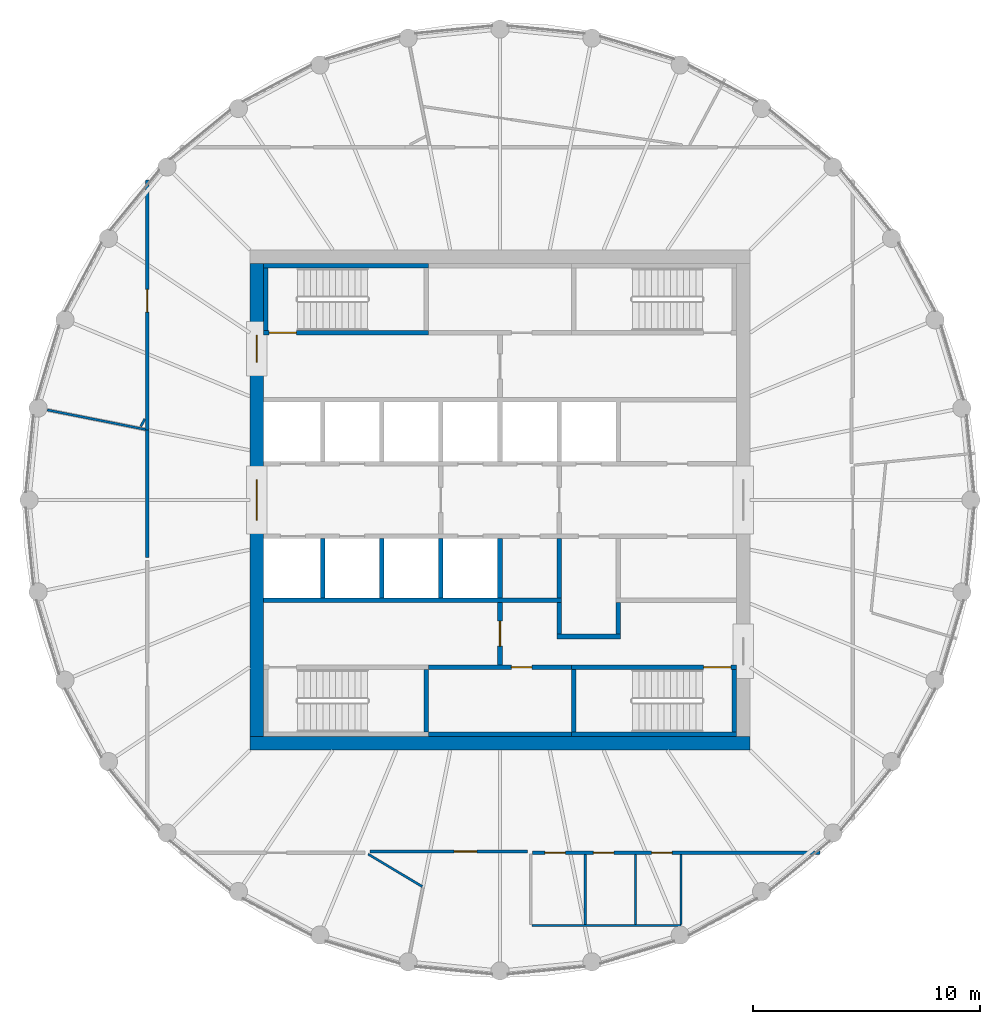
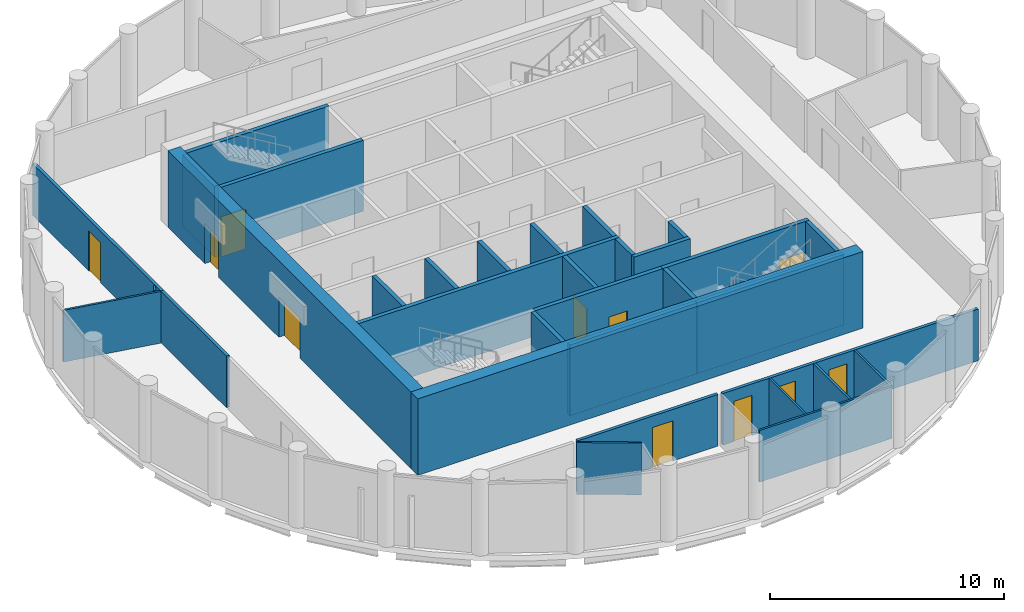
# One storey, part 4 of 7: 33 walls, 11 doors, 11 openings.
"""IFC4 building model written with IfcOpenShell, lengths in metres."""

from ifc_helpers import new_model, si_unit, direction, frame, frame_2d, origin, place, context, subcontext, project, spatial, polyline, rectangle, outline, extrude, material, layer, layer_set, type_object, element, fill, save


model = new_model("IFC4")

# Units and contexts
model_context = context("Model", 3, precision=1e-05, world=origin(), true_north=direction((0.0, 1.0)))
body_context = subcontext(model_context, "Body", "Model", "MODEL_VIEW")
ifc_project = project(units=[si_unit("LENGTHUNIT", "METRE"), si_unit("AREAUNIT", "SQUARE_METRE"), si_unit("VOLUMEUNIT", "CUBIC_METRE"), si_unit("PLANEANGLEUNIT", "RADIAN"), si_unit("MASSUNIT", "GRAM", prefix="KILO")], contexts=[model_context])

# Site, building, storey
site_placement = place(None, origin())
site = spatial("IfcSite", under=ifc_project, at=site_placement, CompositionType="ELEMENT")
building_placement = place(site_placement, origin())
building = spatial("IfcBuilding", under=site, at=building_placement, Name="Corvane Civic Tower", CompositionType="ELEMENT")
storey_placement = place(building_placement, frame((0.0, 0.0, 332.5)))
storey = spatial("IfcBuildingStorey", under=building, at=storey_placement, Name="L79", CompositionType="ELEMENT", Elevation=332.5)

# Wall
ifc_material_1 = material(Name="Concrete C40/50", Category="concrete")
ifc_layer_1 = layer(ifc_material_1, 0.60009765625)
ifc_layer_set_1 = layer_set([ifc_layer_1], Name="Concrete C40/50")
wall_type_1 = type_object("IfcWallType", Name="CORE WALL 600 C40/50", PredefinedType="SHEAR", material=ifc_layer_set_1)
wall_1_placement = place(storey_placement, frame((-11.0, -10.699951171875, 0.0), z_axis=(0.0, 0.0, 1.0), x_axis=(1.0, 0.0, 0.0)))
element("IfcWall", 1, at=wall_1_placement, inside=storey, type_object=wall_type_1, Name="W-L79-core-S", PredefinedType="SHEAR", context=body_context, shape_type="SweptSolid", body=[
    extrude(rectangle(XDim=22.0, YDim=0.60009765625, at=frame_2d((11.0, 0.0))), origin(), (0.0, 0.0, 1.0), 4.0),
])

# Wall, openings, doors
wall_2_placement = place(storey_placement, frame((-10.699951171875, -10.39990234375, 0.0), z_axis=(0.0, 0.0, 1.0), x_axis=(0.0, 1.0, 0.0)))
wall_2 = element("IfcWall", 2, at=wall_2_placement, inside=storey, type_object=wall_type_1, Name="W-L79-core-W", PredefinedType="SHEAR", context=body_context, shape_type="SweptSolid", body=[
    extrude(rectangle(XDim=20.7998046875, YDim=0.60009765625, at=frame_2d((10.39990234375, 0.0))), origin(), (0.0, 0.0, 1.0), 4.0),
])
opening_1_placement = place(wall_2_placement, frame((9.5, 0.0, 0.0)))
opening_1 = element("IfcOpeningElement", 3, at=opening_1_placement, cuts=wall_2, Name="Opening L79.C15", PredefinedType="OPENING", context=body_context, shape_type="SweptSolid", body=[
    extrude(rectangle(XDim=1.800048828125, YDim=2.10009765625, at=frame_2d((0.89990234375, 1.050048828125))), frame((0.0, 0.31005859375, 0.0), z_axis=(0.0, -1.0, 0.0), x_axis=(1.0, 0.0, 0.0)), (0.0, 0.0, 1.0), 0.6201171875),
])
opening_2_placement = place(wall_2_placement, frame((16.449951171875, 0.0, 0.0)))
opening_2 = element("IfcOpeningElement", 4, at=opening_2_placement, cuts=wall_2, Name="Opening L79.C17", PredefinedType="OPENING", context=body_context, shape_type="SweptSolid", body=[
    extrude(rectangle(XDim=1.199951171875, YDim=2.10009765625, at=frame_2d((0.60009765625, 1.050048828125))), frame((0.0, 0.31005859375, 0.0), z_axis=(0.0, -1.0, 0.0), x_axis=(1.0, 0.0, 0.0)), (0.0, 0.0, 1.0), 0.6201171875),
])
ifc_material_2 = material(Name="Steel fire door leaf", Category="steel")
door_type_1 = type_object("IfcDoorType", Name="CR-DOOR-CORE-1800", OperationType="DOUBLE_DOOR_SINGLE_SWING", PredefinedType="DOOR", material=ifc_material_2)
door_1_placement = place(opening_1_placement, origin())
door_1 = element("IfcDoor", 5, at=door_1_placement, inside=storey, type_object=door_type_1, Name="L79 door", OperationType="DOUBLE_DOOR_SINGLE_SWING", OverallHeight=2.10009765625, OverallWidth=1.800048828125, PredefinedType="DOOR", context=body_context, shape_type="SweptSolid", body=[
    extrude(rectangle(XDim=1.800048828125, YDim=2.10009765625, at=frame_2d((0.89990234375, 1.050048828125))), frame((0.0, 0.02490234375, 0.0), z_axis=(0.0, -1.0, 0.0), x_axis=(1.0, 0.0, 0.0)), (0.0, 0.0, 1.0), 0.050048828125),
])
fill(opening_1, door_1)
door_2_placement = place(opening_2_placement, origin())
door_2 = element("IfcDoor", 6, at=door_2_placement, inside=storey, type_object=door_type_1, Name="L79 door", OperationType="DOUBLE_DOOR_SINGLE_SWING", OverallHeight=2.10009765625, OverallWidth=1.199951171875, PredefinedType="DOOR", context=body_context, shape_type="SweptSolid", body=[
    extrude(rectangle(XDim=1.199951171875, YDim=2.10009765625, at=frame_2d((0.60009765625, 1.050048828125))), frame((0.0, 0.02490234375, 0.0), z_axis=(0.0, -1.0, 0.0), x_axis=(1.0, 0.0, 0.0)), (0.0, 0.0, 1.0), 0.050048828125),
])
fill(opening_2, door_2)

# Wall, opening, door
ifc_material_3 = material(Name="Concrete C30/37", Category="concrete")
ifc_layer_2 = layer(ifc_material_3, 0.199951171875)
ifc_layer_set_2 = layer_set([ifc_layer_2], Name="Concrete C30/37")
wall_type_2 = type_object("IfcWallType", Name="CR-WALL-200", PredefinedType="PARTITIONING", material=ifc_layer_set_2)
wall_3_placement = place(storey_placement, frame((-3.14990234375, -7.35009765625, 0.0), z_axis=(0.0, 0.0, 1.0), x_axis=(1.0, 0.0, 0.0)))
wall_3 = element("IfcWall", 7, at=wall_3_placement, inside=storey, type_object=wall_type_2, Name="L79 partition wall", PredefinedType="PARTITIONING", context=body_context, shape_type="SweptSolid", body=[
    extrude(rectangle(XDim=6.2998046875, YDim=0.199951171875, at=frame_2d((3.14990234375, 0.0))), origin(), (0.0, 0.0, 1.0), 3.699951171875),
])
opening_3_placement = place(wall_3_placement, frame((3.64990234375, 0.0, 0.0)))
opening_3 = element("IfcOpeningElement", 8, at=opening_3_placement, cuts=wall_3, Name="Opening L79.C06", PredefinedType="OPENING", context=body_context, shape_type="SweptSolid", body=[
    extrude(rectangle(XDim=0.89990234375, YDim=2.10009765625, at=frame_2d((0.449951171875, 1.050048828125))), frame((0.0, 0.10986328125, 0.0), z_axis=(0.0, -1.0, 0.0), x_axis=(1.0, 0.0, 0.0)), (0.0, 0.0, 1.0), 0.219970703125),
])
ifc_material_4 = material(Name="Steel fire door leaf", Category="steel")
door_type_2 = type_object("IfcDoorType", Name="CR-DOOR-900", OperationType="SINGLE_SWING_LEFT", PredefinedType="DOOR", material=ifc_material_4)
door_3_placement = place(opening_3_placement, origin())
door_3 = element("IfcDoor", 9, at=door_3_placement, inside=storey, type_object=door_type_2, Name="L79 door", OperationType="SINGLE_SWING_LEFT", OverallHeight=2.10009765625, OverallWidth=0.89990234375, PredefinedType="DOOR", context=body_context, shape_type="SweptSolid", body=[
    extrude(rectangle(XDim=0.89990234375, YDim=2.10009765625, at=frame_2d((0.449951171875, 1.050048828125))), frame((0.0, 0.02490234375, 0.0), z_axis=(0.0, -1.0, 0.0), x_axis=(1.0, 0.0, 0.0)), (0.0, 0.0, 1.0), 0.050048828125),
])
fill(opening_3, door_3)

wall_4_placement = place(storey_placement, frame((0.0, -7.25, 0.0), z_axis=(0.0, 0.0, 1.0), x_axis=(0.0, 1.0, 0.0)))
wall_4 = element("IfcWall", 10, at=wall_4_placement, inside=storey, type_object=wall_type_2, Name="L79 core partition wall", PredefinedType="PARTITIONING", context=body_context, shape_type="SweptSolid", body=[
    extrude(rectangle(XDim=2.75, YDim=0.199951171875, at=frame_2d((1.375, 0.0))), origin(), (0.0, 0.0, 1.0), 3.699951171875),
])
opening_4_placement = place(wall_4_placement, frame((0.824951171875, 0.0, 0.0)))
opening_4 = element("IfcOpeningElement", 11, at=opening_4_placement, cuts=wall_4, Name="Opening L79.C14", PredefinedType="OPENING", context=body_context, shape_type="SweptSolid", body=[
    extrude(rectangle(XDim=1.10009765625, YDim=2.10009765625, at=frame_2d((0.550048828125, 1.050048828125))), frame((0.0, 0.10986328125, 0.0), z_axis=(0.0, -1.0, 0.0), x_axis=(1.0, 0.0, 0.0)), (0.0, 0.0, 1.0), 0.219970703125),
])
ifc_material_5 = material(Name="Steel fire door leaf", Category="steel")
door_type_3 = type_object("IfcDoorType", Name="CR-DOOR-FFL-1100", OperationType="SINGLE_SWING_LEFT", PredefinedType="DOOR", material=ifc_material_5)
door_4_placement = place(opening_4_placement, origin())
door_4 = element("IfcDoor", 12, at=door_4_placement, inside=storey, type_object=door_type_3, Name="L79 lobby door", OperationType="SINGLE_SWING_LEFT", OverallHeight=2.10009765625, OverallWidth=1.10009765625, PredefinedType="DOOR", context=body_context, shape_type="SweptSolid", body=[
    extrude(rectangle(XDim=1.10009765625, YDim=2.10009765625, at=frame_2d((0.550048828125, 1.050048828125))), frame((0.0, 0.02490234375, 0.0), z_axis=(0.0, -1.0, 0.0), x_axis=(1.0, 0.0, 0.0)), (0.0, 0.0, 1.0), 0.050048828125),
])
fill(opening_4, door_4)

# Walls
wall_5_placement = place(storey_placement, origin())
element("IfcWall", 13, at=wall_5_placement, inside=storey, type_object=wall_type_2, Name="L79 core partition wall", PredefinedType="PARTITIONING", context=body_context, shape_type="SweptSolid", body=[
    extrude(outline(polyline([(2.699951171875, -4.300048828125), (2.699951171875, -4.5), (-10.39990234375, -4.5), (-10.39990234375, -4.300048828125), (2.699951171875, -4.300048828125)])), origin(), (0.0, 0.0, 1.0), 3.699951171875),
])
wall_6_placement = place(storey_placement, origin())
element("IfcWall", 14, at=wall_6_placement, inside=storey, type_object=wall_type_2, Name="L79 core partition wall", PredefinedType="PARTITIONING", context=body_context, shape_type="SweptSolid", body=[
    extrude(outline(polyline([(5.300048828125, -6.10009765625), (2.5, -6.10009765625), (2.5, -5.89990234375), (5.300048828125, -5.89990234375), (5.300048828125, -6.10009765625)])), origin(), (0.0, 0.0, 1.0), 3.699951171875),
])
wall_7_placement = place(storey_placement, origin())
element("IfcWall", 15, at=wall_7_placement, inside=storey, type_object=wall_type_2, Name="L79 core partition wall", PredefinedType="PARTITIONING", context=body_context, shape_type="SweptSolid", body=[
    extrude(outline(polyline([(-2.5, -1.699951171875), (-2.5, -4.2998046875), (-2.699951171875, -4.2998046875), (-2.699951171875, -1.699951171875), (-2.5, -1.699951171875)])), origin(), (0.0, 0.0, 1.0), 3.699951171875),
])
wall_8_placement = place(storey_placement, origin())
element("IfcWall", 16, at=wall_8_placement, inside=storey, type_object=wall_type_2, Name="L79 core partition wall", PredefinedType="PARTITIONING", context=body_context, shape_type="SweptSolid", body=[
    extrude(outline(polyline([(2.699951171875, -1.699951171875), (2.699951171875, -4.2998046875), (2.5, -4.2998046875), (2.5, -1.699951171875), (2.699951171875, -1.699951171875)])), origin(), (0.0, 0.0, 1.0), 3.699951171875),
])
wall_9_placement = place(storey_placement, origin())
element("IfcWall", 17, at=wall_9_placement, inside=storey, type_object=wall_type_2, Name="L79 core partition wall", PredefinedType="PARTITIONING", context=body_context, shape_type="SweptSolid", body=[
    extrude(outline(polyline([(0.10009765625, -1.699951171875), (0.10009765625, -4.2998046875), (-0.10009765625, -4.2998046875), (-0.10009765625, -1.699951171875), (0.10009765625, -1.699951171875)])), origin(), (0.0, 0.0, 1.0), 3.699951171875),
])
wall_10_placement = place(storey_placement, origin())
element("IfcWall", 18, at=wall_10_placement, inside=storey, type_object=wall_type_2, Name="L79 core partition wall", PredefinedType="PARTITIONING", context=body_context, shape_type="SweptSolid", body=[
    extrude(outline(polyline([(-7.699951171875, -1.699951171875), (-7.699951171875, -4.2998046875), (-7.89990234375, -4.2998046875), (-7.89990234375, -1.699951171875), (-7.699951171875, -1.699951171875)])), origin(), (0.0, 0.0, 1.0), 3.699951171875),
])
wall_11_placement = place(storey_placement, origin())
element("IfcWall", 19, at=wall_11_placement, inside=storey, type_object=wall_type_2, Name="L79 core partition wall", PredefinedType="PARTITIONING", context=body_context, shape_type="SweptSolid", body=[
    extrude(outline(polyline([(-5.10009765625, -1.699951171875), (-5.10009765625, -4.2998046875), (-5.300048828125, -4.2998046875), (-5.300048828125, -1.699951171875), (-5.10009765625, -1.699951171875)])), origin(), (0.0, 0.0, 1.0), 3.699951171875),
])
wall_12_placement = place(storey_placement, origin())
element("IfcWall", 20, at=wall_12_placement, inside=storey, type_object=wall_type_2, Name="L79 core partition wall", PredefinedType="PARTITIONING", context=body_context, shape_type="SweptSolid", body=[
    extrude(outline(polyline([(2.699951171875, -5.89990234375), (2.5, -5.89990234375), (2.5, -4.5), (2.699951171875, -4.5), (2.699951171875, -5.89990234375)])), origin(), (0.0, 0.0, 1.0), 3.699951171875),
])
wall_13_placement = place(storey_placement, origin())
element("IfcWall", 21, at=wall_13_placement, inside=storey, type_object=wall_type_2, Name="L79 core partition wall", PredefinedType="PARTITIONING", context=body_context, shape_type="SweptSolid", body=[
    extrude(outline(polyline([(5.300048828125, -5.89990234375), (5.10009765625, -5.89990234375), (5.10009765625, -4.5), (5.300048828125, -4.5), (5.300048828125, -5.89990234375)])), origin(), (0.0, 0.0, 1.0), 3.699951171875),
])
wall_14_placement = place(storey_placement, origin())
element("IfcWall", 22, at=wall_14_placement, inside=storey, type_object=wall_type_2, Name="L79 core partition wall", PredefinedType="PARTITIONING", context=body_context, shape_type="SweptSolid", body=[
    extrude(outline(polyline([(3.14990234375, -10.199951171875), (3.14990234375, -10.39990234375), (-3.14990234375, -10.39990234375), (-3.14990234375, -10.199951171875), (3.14990234375, -10.199951171875)])), origin(), (0.0, 0.0, 1.0), 3.699951171875),
])
ifc_material_6 = material(Name="Plasterboard")
ifc_layer_3 = layer(ifc_material_6, 0.10009765625)
ifc_layer_set_3 = layer_set([ifc_layer_3], Name="Plasterboard")
wall_type_3 = type_object("IfcWallType", Name="Partition 100 plasterboard on studs", PredefinedType="PARTITIONING", material=ifc_layer_set_3)
wall_15_placement = place(storey_placement, frame((1.4033203125, -18.699951171875, 0.0), z_axis=(0.0, 0.0, 1.0), x_axis=(1.0, 0.0, 0.0)))
element("IfcWall", 23, at=wall_15_placement, inside=storey, type_object=wall_type_3, Name="Partition L79.002", PredefinedType="PARTITIONING", context=body_context, shape_type="SweptSolid", body=[
    extrude(rectangle(XDim=6.550048828125, YDim=0.10009765625, at=frame_2d((3.27490234375, 0.0))), origin(), (0.0, 0.0, 1.0), 2.699951171875),
])
for number, where, z_axis, x_axis, name in (
    (24, (7.953369140625, -18.64990234375, 0.0), (0.0, 0.0, 1.0), (0.0, 1.0, 0.0), "Partition L79.003"),
    (25, (3.75341796875, -18.64990234375, 0.0), (0.0, 0.0, 1.0), (0.0, 1.0, 0.0), "Partition L79.005"),
    (26, (5.953369140625, -18.64990234375, 0.0), (0.0, 0.0, 1.0), (0.0, 1.0, 0.0), "Partition L79.006"),
):
    element("IfcWall", number, at=place(storey_placement, frame(where, z_axis=z_axis, x_axis=x_axis)), inside=storey, type_object=wall_type_3, Name=name, PredefinedType="PARTITIONING", context=body_context, shape_type="SweptSolid", body=[
        extrude(rectangle(XDim=3.074951171875, YDim=0.10009765625, at=frame_2d((1.53759765625, 0.0))), origin(), (0.0, 0.0, 1.0), 2.699951171875),
    ])
wall_16_placement = place(storey_placement, frame((-5.79443359375, -15.56787109375, 0.0), z_axis=(0.0, 0.0, 1.0), x_axis=(0.85774124689, -0.514081660229, 0.0)))
element("IfcWall", 27, at=wall_16_placement, inside=storey, type_object=wall_type_3, Name="Partition L79.007", PredefinedType="PARTITIONING", context=body_context, shape_type="SweptSolid", body=[
    extrude(rectangle(XDim=2.77490234375, YDim=0.10009765625, at=frame_2d((1.387451171875, 0.0))), origin(), (0.0, 0.0, 1.0), 2.699951171875),
])
wall_17_placement = place(storey_placement, frame((-19.900146484375, 3.95849609375, 0.0), z_axis=(0.0, 0.0, 1.0), x_axis=(0.98078501504, -0.195091656081, 0.0)))
element("IfcWall", 28, at=wall_17_placement, inside=storey, type_object=wall_type_3, Name="Partition L79.019", PredefinedType="PARTITIONING", context=body_context, shape_type="SweptSolid", body=[
    extrude(rectangle(XDim=4.39990234375, YDim=0.10009765625, at=frame_2d((2.199951171875, 0.0))), origin(), (0.0, 0.0, 1.0), 2.699951171875),
])
wall_18_placement = place(storey_placement, frame((-15.789794921875, 3.232666015625, 0.0), z_axis=(0.0, 0.0, 1.0), x_axis=(0.471271347015, 0.881988275139, 0.0)))
element("IfcWall", 29, at=wall_18_placement, inside=storey, type_object=wall_type_3, Name="Partition L79.027", PredefinedType="PARTITIONING", context=body_context, shape_type="SweptSolid", body=[
    extrude(rectangle(XDim=0.370849609375, YDim=0.10009765625, at=frame_2d((0.185546875, 0.0))), origin(), (0.0, 0.0, 1.0), 2.699951171875),
])

# Wall, opening, door
ifc_material_7 = material(Name="Concrete C50/60", Category="concrete")
ifc_layer_4 = layer(ifc_material_7, 0.199951171875)
ifc_layer_set_4 = layer_set([ifc_layer_4], Name="Concrete C50/60")
wall_type_4 = type_object("IfcWallType", Name="ST-WALL-200", PredefinedType="SHEAR", material=ifc_layer_set_4)
wall_19_placement = place(storey_placement, frame((3.14990234375, -7.35009765625, 0.0), z_axis=(0.0, 0.0, 1.0), x_axis=(1.0, 0.0, 0.0)))
wall_19 = element("IfcWall", 30, at=wall_19_placement, inside=storey, type_object=wall_type_4, Name="L79 stair enclosure wall", PredefinedType="SHEAR", context=body_context, shape_type="SweptSolid", body=[
    extrude(rectangle(XDim=7.25, YDim=0.199951171875, at=frame_2d((3.625, 0.0))), origin(), (0.0, 0.0, 1.0), 3.699951171875),
])
opening_5_placement = place(wall_19_placement, frame((5.800048828125, 0.0, 0.0)))
opening_5 = element("IfcOpeningElement", 31, at=opening_5_placement, cuts=wall_19, Name="Opening L79.C09", PredefinedType="OPENING", context=body_context, shape_type="SweptSolid", body=[
    extrude(rectangle(XDim=1.199951171875, YDim=2.10009765625, at=frame_2d((0.60009765625, 1.050048828125))), frame((0.0, 0.10986328125, 0.0), z_axis=(0.0, -1.0, 0.0), x_axis=(1.0, 0.0, 0.0)), (0.0, 0.0, 1.0), 0.219970703125),
])
ifc_material_8 = material(Name="Steel fire door leaf", Category="steel")
door_type_4 = type_object("IfcDoorType", Name="ST-DOOR-1200", OperationType="SINGLE_SWING_RIGHT", PredefinedType="DOOR", material=ifc_material_8)
door_5_placement = place(opening_5_placement, origin())
door_5 = element("IfcDoor", 32, at=door_5_placement, inside=storey, type_object=door_type_4, Name="L79 stair door", OperationType="SINGLE_SWING_RIGHT", OverallHeight=2.10009765625, OverallWidth=1.199951171875, PredefinedType="DOOR", context=body_context, shape_type="SweptSolid", body=[
    extrude(rectangle(XDim=1.199951171875, YDim=2.10009765625, at=frame_2d((0.60009765625, 1.050048828125))), frame((0.0, 0.02490234375, 0.0), z_axis=(0.0, -1.0, 0.0), x_axis=(1.0, 0.0, 0.0)), (0.0, 0.0, 1.0), 0.050048828125),
])
fill(opening_5, door_5)

wall_20_placement = place(storey_placement, frame((-10.39990234375, 7.35009765625, 0.0), z_axis=(0.0, 0.0, 1.0), x_axis=(1.0, 0.0, 0.0)))
wall_20 = element("IfcWall", 33, at=wall_20_placement, inside=storey, type_object=wall_type_4, Name="L79 stair enclosure wall", PredefinedType="SHEAR", context=body_context, shape_type="SweptSolid", body=[
    extrude(rectangle(XDim=7.25, YDim=0.199951171875, at=frame_2d((3.625, 0.0))), origin(), (0.0, 0.0, 1.0), 3.699951171875),
])
opening_6_placement = place(wall_20_placement, frame((0.25, 0.0, 0.0)))
opening_6 = element("IfcOpeningElement", 34, at=opening_6_placement, cuts=wall_20, Name="Opening L79.C08", PredefinedType="OPENING", context=body_context, shape_type="SweptSolid", body=[
    extrude(rectangle(XDim=1.199951171875, YDim=2.10009765625, at=frame_2d((0.60009765625, 1.050048828125))), frame((0.0, 0.10986328125, 0.0), z_axis=(0.0, -1.0, 0.0), x_axis=(1.0, 0.0, 0.0)), (0.0, 0.0, 1.0), 0.219970703125),
])
door_6_placement = place(opening_6_placement, origin())
door_6 = element("IfcDoor", 35, at=door_6_placement, inside=storey, type_object=door_type_4, Name="L79 stair door", OperationType="SINGLE_SWING_RIGHT", OverallHeight=2.10009765625, OverallWidth=1.199951171875, PredefinedType="DOOR", context=body_context, shape_type="SweptSolid", body=[
    extrude(rectangle(XDim=1.199951171875, YDim=2.10009765625, at=frame_2d((0.60009765625, 1.050048828125))), frame((0.0, 0.02490234375, 0.0), z_axis=(0.0, -1.0, 0.0), x_axis=(1.0, 0.0, 0.0)), (0.0, 0.0, 1.0), 0.050048828125),
])
fill(opening_6, door_6)

# Walls
wall_21_placement = place(storey_placement, origin())
element("IfcWall", 36, at=wall_21_placement, inside=storey, type_object=wall_type_4, Name="L79 stair enclosure wall", PredefinedType="SHEAR", context=body_context, shape_type="SweptSolid", body=[
    extrude(outline(polyline([(-3.14990234375, 10.199951171875), (-10.39990234375, 10.199951171875), (-10.39990234375, 10.39990234375), (-3.14990234375, 10.39990234375), (-3.14990234375, 10.199951171875)])), origin(), (0.0, 0.0, 1.0), 3.699951171875),
])
wall_22_placement = place(storey_placement, origin())
element("IfcWall", 37, at=wall_22_placement, inside=storey, type_object=wall_type_4, Name="L79 stair enclosure wall", PredefinedType="SHEAR", context=body_context, shape_type="SweptSolid", body=[
    extrude(outline(polyline([(10.39990234375, -10.39990234375), (3.14990234375, -10.39990234375), (3.14990234375, -10.199951171875), (10.39990234375, -10.199951171875), (10.39990234375, -10.39990234375)])), origin(), (0.0, 0.0, 1.0), 3.699951171875),
])
wall_23_placement = place(storey_placement, origin())
element("IfcWall", 38, at=wall_23_placement, inside=storey, type_object=wall_type_4, Name="L79 stair enclosure wall", PredefinedType="SHEAR", context=body_context, shape_type="SweptSolid", body=[
    extrude(outline(polyline([(-3.14990234375, -7.449951171875), (-3.14990234375, -10.199951171875), (-3.35009765625, -10.199951171875), (-3.35009765625, -7.449951171875), (-3.14990234375, -7.449951171875)])), origin(), (0.0, 0.0, 1.0), 3.699951171875),
])
wall_24_placement = place(storey_placement, origin())
element("IfcWall", 39, at=wall_24_placement, inside=storey, type_object=wall_type_4, Name="L79 stair enclosure wall", PredefinedType="SHEAR", context=body_context, shape_type="SweptSolid", body=[
    extrude(outline(polyline([(3.35009765625, -7.449951171875), (3.35009765625, -10.199951171875), (3.14990234375, -10.199951171875), (3.14990234375, -7.449951171875), (3.35009765625, -7.449951171875)])), origin(), (0.0, 0.0, 1.0), 3.699951171875),
])
wall_25_placement = place(storey_placement, origin())
element("IfcWall", 40, at=wall_25_placement, inside=storey, type_object=wall_type_4, Name="L79 stair enclosure wall", PredefinedType="SHEAR", context=body_context, shape_type="SweptSolid", body=[
    extrude(outline(polyline([(-10.199951171875, 7.449951171875), (-10.39990234375, 7.449951171875), (-10.39990234375, 10.199951171875), (-10.199951171875, 10.199951171875), (-10.199951171875, 7.449951171875)])), origin(), (0.0, 0.0, 1.0), 3.699951171875),
])
wall_26_placement = place(storey_placement, origin())
element("IfcWall", 41, at=wall_26_placement, inside=storey, type_object=wall_type_4, Name="L79 stair enclosure wall", PredefinedType="SHEAR", context=body_context, shape_type="SweptSolid", body=[
    extrude(outline(polyline([(10.39990234375, -7.449951171875), (10.39990234375, -10.199951171875), (10.199951171875, -10.199951171875), (10.199951171875, -7.449951171875), (10.39990234375, -7.449951171875)])), origin(), (0.0, 0.0, 1.0), 3.699951171875),
])

# Wall, openings, doors
ifc_material_9 = material(Name="Plasterboard")
ifc_layer_5 = layer(ifc_material_9, 0.14990234375)
ifc_layer_set_5 = layer_set([ifc_layer_5], Name="Plasterboard")
wall_type_5 = type_object("IfcWallType", Name="Tenancy wall 150 EI 60", PredefinedType="PARTITIONING", material=ifc_layer_set_5)
wall_27_placement = place(storey_placement, frame((1.42822265625, -15.5, 0.0), z_axis=(0.0, 0.0, 1.0), x_axis=(1.0, 0.0, 0.0)))
wall_27 = element("IfcWall", 42, at=wall_27_placement, inside=storey, type_object=wall_type_5, Name="Partition L79.009", PredefinedType="PARTITIONING", context=body_context, shape_type="SweptSolid", body=[
    extrude(rectangle(XDim=12.62890625, YDim=0.14990234375, at=frame_2d((6.314453125, 0.0))), origin(), (0.0, 0.0, 1.0), 2.699951171875),
])
opening_7_placement = place(wall_27_placement, frame((0.5498046875, 0.0, 0.0)))
opening_7 = element("IfcOpeningElement", 43, at=opening_7_placement, cuts=wall_27, Name="Opening L79.012", PredefinedType="OPENING", context=body_context, shape_type="SweptSolid", body=[
    extrude(rectangle(XDim=0.89990234375, YDim=2.10009765625, at=frame_2d((0.449951171875, 1.050048828125))), frame((0.0, 0.0849609375, 0.0), z_axis=(0.0, -1.0, 0.0), x_axis=(1.0, 0.0, 0.0)), (0.0, 0.0, 1.0), 0.169921875),
])
opening_8_placement = place(wall_27_placement, frame((2.681884765625, 0.0, 0.0)))
opening_8 = element("IfcOpeningElement", 44, at=opening_8_placement, cuts=wall_27, Name="Opening L79.013", PredefinedType="OPENING", context=body_context, shape_type="SweptSolid", body=[
    extrude(rectangle(XDim=0.89990234375, YDim=2.10009765625, at=frame_2d((0.449951171875, 1.050048828125))), frame((0.0, 0.0849609375, 0.0), z_axis=(0.0, -1.0, 0.0), x_axis=(1.0, 0.0, 0.0)), (0.0, 0.0, 1.0), 0.169921875),
])
opening_9_placement = place(wall_27_placement, frame((5.242431640625, 0.0, 0.0)))
opening_9 = element("IfcOpeningElement", 45, at=opening_9_placement, cuts=wall_27, Name="Opening L79.014", PredefinedType="OPENING", context=body_context, shape_type="SweptSolid", body=[
    extrude(rectangle(XDim=0.89990234375, YDim=2.10009765625, at=frame_2d((0.449951171875, 1.050048828125))), frame((0.0, 0.0849609375, 0.0), z_axis=(0.0, -1.0, 0.0), x_axis=(1.0, 0.0, 0.0)), (0.0, 0.0, 1.0), 0.169921875),
])
ifc_material_10 = material(Name="Steel and timber", Category="steel")
door_type_5 = type_object("IfcDoorType", Name="Fire door FD30S 900", OperationType="NOTDEFINED", PredefinedType="DOOR", material=ifc_material_10)
door_7_placement = place(opening_7_placement, frame((0.89990234375, 0.0, 0.0), z_axis=(0.0, 0.0, 1.0), x_axis=(-1.0, 0.0, 0.0)))
door_7 = element("IfcDoor", 46, at=door_7_placement, inside=storey, type_object=door_type_5, Name="Door L79.012", OperationType="SINGLE_SWING_LEFT", OverallHeight=2.10009765625, OverallWidth=0.89990234375, PredefinedType="DOOR", context=body_context, shape_type="SweptSolid", body=[
    extrude(rectangle(XDim=0.89990234375, YDim=2.10009765625, at=frame_2d((0.449951171875, 1.050048828125))), frame((0.0, 0.02490234375, 0.0), z_axis=(0.0, -1.0, 0.0), x_axis=(1.0, 0.0, 0.0)), (0.0, 0.0, 1.0), 0.050048828125),
])
fill(opening_7, door_7)
door_8_placement = place(opening_8_placement, frame((0.89990234375, 0.0, 0.0), z_axis=(0.0, 0.0, 1.0), x_axis=(-1.0, 0.0, 0.0)))
door_8 = element("IfcDoor", 47, at=door_8_placement, inside=storey, type_object=door_type_5, Name="Door L79.013", OperationType="SINGLE_SWING_RIGHT", OverallHeight=2.10009765625, OverallWidth=0.89990234375, PredefinedType="DOOR", context=body_context, shape_type="SweptSolid", body=[
    extrude(rectangle(XDim=0.89990234375, YDim=2.10009765625, at=frame_2d((0.449951171875, 1.050048828125))), frame((0.0, 0.02490234375, 0.0), z_axis=(0.0, -1.0, 0.0), x_axis=(1.0, 0.0, 0.0)), (0.0, 0.0, 1.0), 0.050048828125),
])
fill(opening_8, door_8)
door_9_placement = place(opening_9_placement, frame((0.89990234375, 0.0, 0.0), z_axis=(0.0, 0.0, 1.0), x_axis=(-1.0, 0.0, 0.0)))
door_9 = element("IfcDoor", 48, at=door_9_placement, inside=storey, type_object=door_type_5, Name="Door L79.014", OperationType="SINGLE_SWING_LEFT", OverallHeight=2.10009765625, OverallWidth=0.89990234375, PredefinedType="DOOR", context=body_context, shape_type="SweptSolid", body=[
    extrude(rectangle(XDim=0.89990234375, YDim=2.10009765625, at=frame_2d((0.449951171875, 1.050048828125))), frame((0.0, 0.02490234375, 0.0), z_axis=(0.0, -1.0, 0.0), x_axis=(1.0, 0.0, 0.0)), (0.0, 0.0, 1.0), 0.050048828125),
])
fill(opening_9, door_9)

# Wall, opening, door
wall_28_placement = place(storey_placement, frame((-5.72021484375, -15.449951171875, 0.0), z_axis=(0.0, 0.0, 1.0), x_axis=(1.0, 0.0, 0.0)))
wall_28 = element("IfcWall", 49, at=wall_28_placement, inside=storey, type_object=wall_type_5, Name="Partition L79.010", PredefinedType="PARTITIONING", context=body_context, shape_type="SweptSolid", body=[
    extrude(rectangle(XDim=6.939208984375, YDim=0.14990234375, at=frame_2d((3.4697265625, 0.0))), origin(), (0.0, 0.0, 1.0), 2.699951171875),
])
opening_10_placement = place(wall_28_placement, frame((3.705810546875, 0.0, 0.0)))
opening_10 = element("IfcOpeningElement", 50, at=opening_10_placement, cuts=wall_28, Name="Opening L79.011", PredefinedType="OPENING", context=body_context, shape_type="SweptSolid", body=[
    extrude(rectangle(XDim=1.0, YDim=2.10009765625, at=frame_2d((0.5, 1.050048828125))), frame((0.0, 0.0849609375, 0.0), z_axis=(0.0, -1.0, 0.0), x_axis=(1.0, 0.0, 0.0)), (0.0, 0.0, 1.0), 0.169921875),
])
ifc_material_11 = material(Name="Steel and timber", Category="steel")
door_type_6 = type_object("IfcDoorType", Name="Fire door FD30S 1000", OperationType="NOTDEFINED", PredefinedType="DOOR", material=ifc_material_11)
door_10_placement = place(opening_10_placement, frame((1.0, 0.0, 0.0), z_axis=(0.0, 0.0, 1.0), x_axis=(-1.0, 0.0, 0.0)))
door_10 = element("IfcDoor", 51, at=door_10_placement, inside=storey, type_object=door_type_6, Name="Door L79.011", OperationType="SINGLE_SWING_LEFT", OverallHeight=2.10009765625, OverallWidth=1.0, PredefinedType="DOOR", context=body_context, shape_type="SweptSolid", body=[
    extrude(rectangle(XDim=1.0, YDim=2.10009765625, at=frame_2d((0.5, 1.050048828125))), frame((0.0, 0.02490234375, 0.0), z_axis=(0.0, -1.0, 0.0), x_axis=(1.0, 0.0, 0.0)), (0.0, 0.0, 1.0), 0.050048828125),
])
fill(opening_10, door_10)

# Wall
wall_29_placement = place(storey_placement, frame((-15.5, -2.52685546875, 0.0), z_axis=(0.0, 0.0, 1.0), x_axis=(0.0, 1.0, 0.0)))
element("IfcWall", 52, at=wall_29_placement, inside=storey, type_object=wall_type_5, Name="Partition L79.015", PredefinedType="PARTITIONING", context=body_context, shape_type="SweptSolid", body=[
    extrude(rectangle(XDim=5.60986328125, YDim=0.14990234375, at=frame_2d((2.804931640625, 0.0))), origin(), (0.0, 0.0, 1.0), 2.699951171875),
])

# Wall, opening, door
wall_30_placement = place(storey_placement, frame((-15.5, 3.0830078125, 0.0), z_axis=(0.0, 0.0, 1.0), x_axis=(0.0, 1.0, 0.0)))
wall_30 = element("IfcWall", 53, at=wall_30_placement, inside=storey, type_object=wall_type_5, Name="Partition L79.018", PredefinedType="PARTITIONING", context=body_context, shape_type="SweptSolid", body=[
    extrude(rectangle(XDim=10.97412109375, YDim=0.14990234375, at=frame_2d((5.487060546875, 0.0))), origin(), (0.0, 0.0, 1.0), 2.699951171875),
])
opening_11_placement = place(wall_30_placement, frame((5.17333984375, 0.0, 0.0)))
opening_11 = element("IfcOpeningElement", 54, at=opening_11_placement, cuts=wall_30, Name="Opening L79.003", PredefinedType="OPENING", context=body_context, shape_type="SweptSolid", body=[
    extrude(rectangle(XDim=1.0, YDim=2.10009765625, at=frame_2d((0.5, 1.050048828125))), frame((0.0, 0.0849609375, 0.0), z_axis=(0.0, -1.0, 0.0), x_axis=(1.0, 0.0, 0.0)), (0.0, 0.0, 1.0), 0.169921875),
])
door_11_placement = place(opening_11_placement, origin())
door_11 = element("IfcDoor", 55, at=door_11_placement, inside=storey, type_object=door_type_6, Name="Door L79.003", OperationType="SINGLE_SWING_LEFT", OverallHeight=2.10009765625, OverallWidth=1.0, PredefinedType="DOOR", context=body_context, shape_type="SweptSolid", body=[
    extrude(rectangle(XDim=1.0, YDim=2.10009765625, at=frame_2d((0.5, 1.050048828125))), frame((0.0, 0.02490234375, 0.0), z_axis=(0.0, -1.0, 0.0), x_axis=(1.0, 0.0, 0.0)), (0.0, 0.0, 1.0), 0.050048828125),
])
fill(opening_11, door_11)

save(model, "model.ifc")
